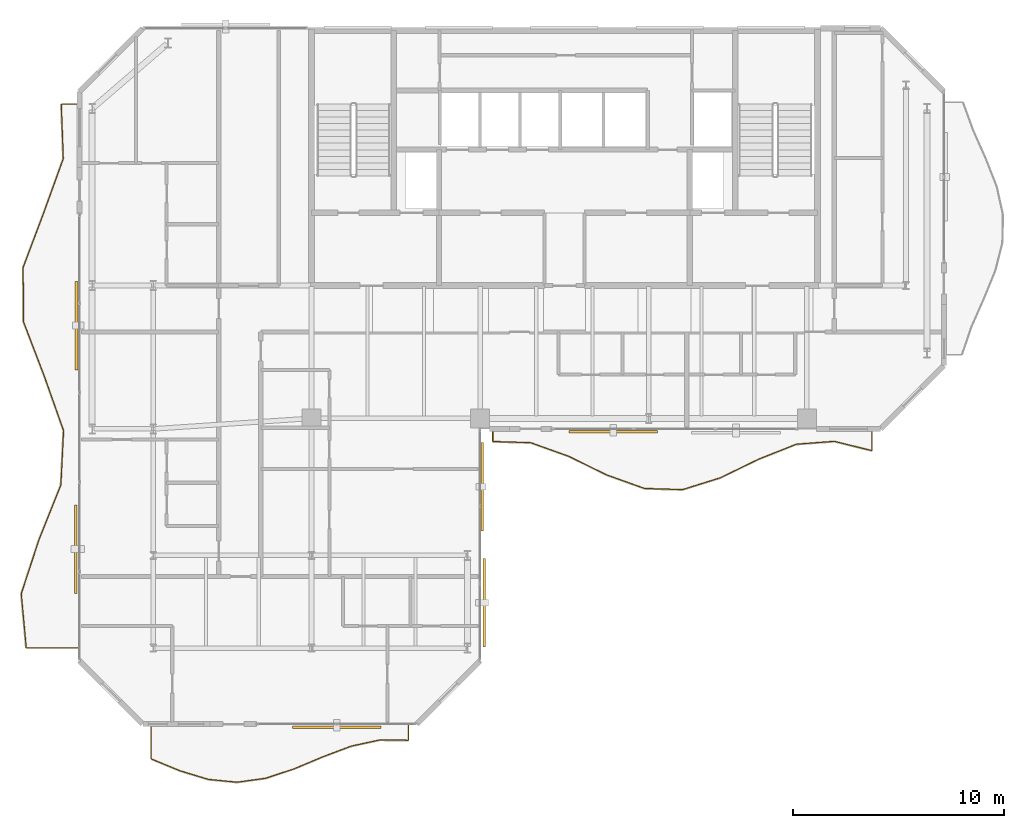
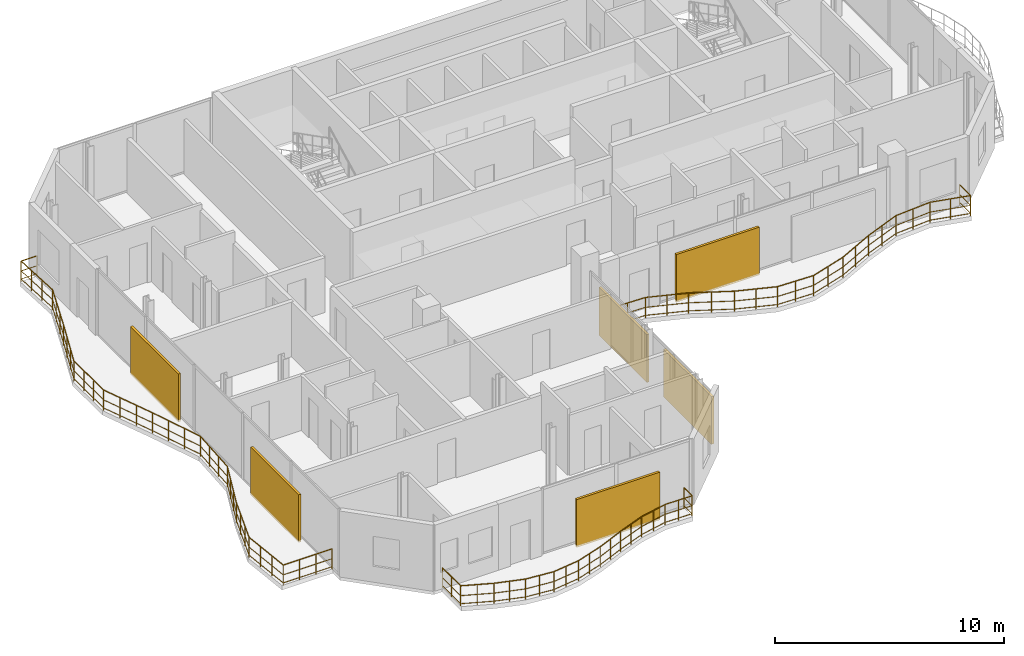
# One storey, part 21 of 22: 6 shading devices, 3 railings.
"""IFC4 building model written with IfcOpenShell, lengths in metres."""

from ifc_helpers import new_model, si_unit, direction, frame, origin, origin_2d, place, context, subcontext, project, spatial, rectangle, circle, extrude, material, type_object, element, save


model = new_model("IFC4")

# Units and contexts
model_context = context("Model", 3, precision=1e-05, world=origin(), true_north=direction((0.0, 1.0)))
body_context = subcontext(model_context, "Body", "Model", "MODEL_VIEW")
ifc_project = project(units=[si_unit("LENGTHUNIT", "METRE"), si_unit("AREAUNIT", "SQUARE_METRE"), si_unit("VOLUMEUNIT", "CUBIC_METRE"), si_unit("PLANEANGLEUNIT", "RADIAN"), si_unit("MASSUNIT", "GRAM", prefix="KILO")], contexts=[model_context])

# Site, building, storey
site_placement = place(None, origin())
site = spatial("IfcSite", under=ifc_project, at=site_placement, CompositionType="ELEMENT")
building_placement = place(site_placement, origin())
building = spatial("IfcBuilding", under=site, at=building_placement, Name="Catumbela Crestline Tower", CompositionType="ELEMENT")
storey_placement = place(building_placement, frame((0.0, 0.0, 226.0)))
storey = spatial("IfcBuildingStorey", under=building, at=storey_placement, Name="L58", CompositionType="ELEMENT", Elevation=226.0)

# Railings
ifc_material_1 = material(Name="Stainless steel EN 1.4401", Category="steel")
railing_type = type_object("IfcRailingType", Name="RB-1100", PredefinedType="BALUSTRADE", material=ifc_material_1)
railing_1_placement = place(storey_placement, frame((24.6, 23.94, 0.0)))
element("IfcRailing", 1, at=railing_1_placement, inside=storey, type_object=railing_type, Name="L58 Private Wave Balcony Balustrade 1", PredefinedType="BALUSTRADE", context=body_context, shape_type="SweptSolid", body=[
    extrude(circle(Radius=0.024, at=origin_2d()), frame((0.0, 0.0, 1.076), z_axis=(0.0, -1.0, 0.0), x_axis=(1.0, 0.0, 0.0)), (0.0, 0.0, 1.0), 0.5387),
    extrude(circle(Radius=0.0156, at=origin_2d()), frame((0.0, 0.0, 0.55), z_axis=(0.0, -1.0, 0.0), x_axis=(1.0, 0.0, 0.0)), (0.0, 0.0, 1.0), 0.5387),
    extrude(circle(Radius=0.0156, at=origin_2d()), frame((0.0, 0.0, 0.12), z_axis=(0.0, -1.0, 0.0), x_axis=(1.0, 0.0, 0.0)), (0.0, 0.0, 1.0), 0.5387),
    extrude(circle(Radius=0.024, at=origin_2d()), frame((0.0, -0.5387, 1.076), z_axis=(0.999524991442, -0.030818687236, 0.0), x_axis=(0.030818687236, 0.999524991442, 0.0)), (0.0, 0.0, 1.0), 1.8009),
    extrude(circle(Radius=0.0156, at=origin_2d()), frame((0.0, -0.5387, 0.55), z_axis=(0.999524991442, -0.030818687236, 0.0), x_axis=(0.030818687236, 0.999524991442, 0.0)), (0.0, 0.0, 1.0), 1.8009),
    extrude(circle(Radius=0.0156, at=origin_2d()), frame((0.0, -0.5387, 0.12), z_axis=(0.999524991442, -0.030818687236, 0.0), x_axis=(0.030818687236, 0.999524991442, 0.0)), (0.0, 0.0, 1.0), 1.8009),
    extrude(circle(Radius=0.024, at=origin_2d()), frame((1.8, -0.5942, 1.076), z_axis=(0.941535818516, -0.336912900392, 0.0), x_axis=(0.336912900392, 0.941535818516, 0.0)), (0.0, 0.0, 1.0), 1.9118),
    extrude(circle(Radius=0.0156, at=origin_2d()), frame((1.8, -0.5942, 0.55), z_axis=(0.941535818516, -0.336912900392, 0.0), x_axis=(0.336912900392, 0.941535818516, 0.0)), (0.0, 0.0, 1.0), 1.9118),
    extrude(circle(Radius=0.0156, at=origin_2d()), frame((1.8, -0.5942, 0.12), z_axis=(0.941535818516, -0.336912900392, 0.0), x_axis=(0.336912900392, 0.941535818516, 0.0)), (0.0, 0.0, 1.0), 1.9118),
    extrude(circle(Radius=0.024, at=origin_2d()), frame((3.6, -1.2383, 1.076), z_axis=(0.897714236936, -0.440578198283, 0.0), x_axis=(0.440578198283, 0.897714236936, 0.0)), (0.0, 0.0, 1.0), 2.0051),
    extrude(circle(Radius=0.0156, at=origin_2d()), frame((3.6, -1.2383, 0.55), z_axis=(0.897714236936, -0.440578198283, 0.0), x_axis=(0.440578198283, 0.897714236936, 0.0)), (0.0, 0.0, 1.0), 2.0051),
    extrude(circle(Radius=0.0156, at=origin_2d()), frame((3.6, -1.2383, 0.12), z_axis=(0.897714236936, -0.440578198283, 0.0), x_axis=(0.440578198283, 0.897714236936, 0.0)), (0.0, 0.0, 1.0), 2.0051),
    extrude(circle(Radius=0.024, at=origin_2d()), frame((5.4, -2.1217, 1.076), z_axis=(0.941535818516, -0.336912900392, 0.0), x_axis=(0.336912900392, 0.941535818516, 0.0)), (0.0, 0.0, 1.0), 1.9118),
    extrude(circle(Radius=0.0156, at=origin_2d()), frame((5.4, -2.1217, 0.55), z_axis=(0.941535818516, -0.336912900392, 0.0), x_axis=(0.336912900392, 0.941535818516, 0.0)), (0.0, 0.0, 1.0), 1.9118),
    extrude(circle(Radius=0.0156, at=origin_2d()), frame((5.4, -2.1217, 0.12), z_axis=(0.941535818516, -0.336912900392, 0.0), x_axis=(0.336912900392, 0.941535818516, 0.0)), (0.0, 0.0, 1.0), 1.9118),
    extrude(circle(Radius=0.024, at=origin_2d()), frame((7.2, -2.7658, 1.076), z_axis=(0.999524991442, -0.030818687236, 0.0), x_axis=(0.030818687236, 0.999524991442, 0.0)), (0.0, 0.0, 1.0), 1.8009),
    extrude(circle(Radius=0.0156, at=origin_2d()), frame((7.2, -2.7658, 0.55), z_axis=(0.999524991442, -0.030818687236, 0.0), x_axis=(0.030818687236, 0.999524991442, 0.0)), (0.0, 0.0, 1.0), 1.8009),
    extrude(circle(Radius=0.0156, at=origin_2d()), frame((7.2, -2.7658, 0.12), z_axis=(0.999524991442, -0.030818687236, 0.0), x_axis=(0.030818687236, 0.999524991442, 0.0)), (0.0, 0.0, 1.0), 1.8009),
    extrude(circle(Radius=0.024, at=origin_2d()), frame((9.0, -2.8213, 1.076), z_axis=(0.954374253933, 0.298613099897, 0.0), x_axis=(-0.298613099897, 0.954374253933, 0.0)), (0.0, 0.0, 1.0), 1.8861),
    extrude(circle(Radius=0.0156, at=origin_2d()), frame((9.0, -2.8213, 0.55), z_axis=(0.954374253933, 0.298613099897, 0.0), x_axis=(-0.298613099897, 0.954374253933, 0.0)), (0.0, 0.0, 1.0), 1.8861),
    extrude(circle(Radius=0.0156, at=origin_2d()), frame((9.0, -2.8213, 0.12), z_axis=(0.954374253933, 0.298613099897, 0.0), x_axis=(-0.298613099897, 0.954374253933, 0.0)), (0.0, 0.0, 1.0), 1.8861),
    extrude(circle(Radius=0.024, at=origin_2d()), frame((10.8, -2.2581, 1.076), z_axis=(0.899073055886, 0.437798629714, 0.0), x_axis=(-0.437798629714, 0.899073055886, 0.0)), (0.0, 0.0, 1.0), 2.0021),
    extrude(circle(Radius=0.0156, at=origin_2d()), frame((10.8, -2.2581, 0.55), z_axis=(0.899073055886, 0.437798629714, 0.0), x_axis=(-0.437798629714, 0.899073055886, 0.0)), (0.0, 0.0, 1.0), 2.0021),
    extrude(circle(Radius=0.0156, at=origin_2d()), frame((10.8, -2.2581, 0.12), z_axis=(0.899073055886, 0.437798629714, 0.0), x_axis=(-0.437798629714, 0.899073055886, 0.0)), (0.0, 0.0, 1.0), 2.0021),
    extrude(circle(Radius=0.024, at=origin_2d()), frame((12.6, -1.3816, 1.076), z_axis=(0.929399644581, 0.369074925526, 0.0), x_axis=(-0.369074925526, 0.929399644581, 0.0)), (0.0, 0.0, 1.0), 1.9367),
    extrude(circle(Radius=0.0156, at=origin_2d()), frame((12.6, -1.3816, 0.55), z_axis=(0.929399644581, 0.369074925526, 0.0), x_axis=(-0.369074925526, 0.929399644581, 0.0)), (0.0, 0.0, 1.0), 1.9367),
    extrude(circle(Radius=0.0156, at=origin_2d()), frame((12.6, -1.3816, 0.12), z_axis=(0.929399644581, 0.369074925526, 0.0), x_axis=(-0.369074925526, 0.929399644581, 0.0)), (0.0, 0.0, 1.0), 1.9367),
    extrude(circle(Radius=0.024, at=origin_2d()), frame((14.4, -0.6668, 1.076), z_axis=(0.9971244509, 0.075781458268, 0.0), x_axis=(-0.075781458268, 0.9971244509, 0.0)), (0.0, 0.0, 1.0), 1.8052),
    extrude(circle(Radius=0.0156, at=origin_2d()), frame((14.4, -0.6668, 0.55), z_axis=(0.9971244509, 0.075781458268, 0.0), x_axis=(-0.075781458268, 0.9971244509, 0.0)), (0.0, 0.0, 1.0), 1.8052),
    extrude(circle(Radius=0.0156, at=origin_2d()), frame((14.4, -0.6668, 0.12), z_axis=(0.9971244509, 0.075781458268, 0.0), x_axis=(-0.075781458268, 0.9971244509, 0.0)), (0.0, 0.0, 1.0), 1.8052),
    extrude(circle(Radius=0.024, at=origin_2d()), frame((16.2, -0.53, 1.076), z_axis=(0.97081135802, -0.239844339395, 0.0), x_axis=(0.239844339395, 0.97081135802, 0.0)), (0.0, 0.0, 1.0), 1.8541),
    extrude(circle(Radius=0.0156, at=origin_2d()), frame((16.2, -0.53, 0.55), z_axis=(0.97081135802, -0.239844339395, 0.0), x_axis=(0.239844339395, 0.97081135802, 0.0)), (0.0, 0.0, 1.0), 1.8541),
    extrude(circle(Radius=0.0156, at=origin_2d()), frame((16.2, -0.53, 0.12), z_axis=(0.97081135802, -0.239844339395, 0.0), x_axis=(0.239844339395, 0.97081135802, 0.0)), (0.0, 0.0, 1.0), 1.8541),
    extrude(circle(Radius=0.024, at=origin_2d()), frame((18.0, -0.9747, 1.076), z_axis=(0.0, 1.0, 0.0), x_axis=(-1.0, 0.0, 0.0)), (0.0, 0.0, 1.0), 0.9747),
    extrude(circle(Radius=0.0156, at=origin_2d()), frame((18.0, -0.9747, 0.55), z_axis=(0.0, 1.0, 0.0), x_axis=(-1.0, 0.0, 0.0)), (0.0, 0.0, 1.0), 0.9747),
    extrude(circle(Radius=0.0156, at=origin_2d()), frame((18.0, -0.9747, 0.12), z_axis=(0.0, 1.0, 0.0), x_axis=(-1.0, 0.0, 0.0)), (0.0, 0.0, 1.0), 0.9747),
    extrude(circle(Radius=0.021, at=origin_2d()), origin(), (0.0, 0.0, 1.0), 1.052),
    extrude(circle(Radius=0.021, at=origin_2d()), frame((0.0, -0.5387, 0.0)), (0.0, 0.0, 1.0), 1.052),
    extrude(circle(Radius=0.021, at=origin_2d()), frame((0.9, -0.5665, 0.0)), (0.0, 0.0, 1.0), 1.052),
    extrude(circle(Radius=0.021, at=origin_2d()), frame((1.8, -0.5942, 0.0)), (0.0, 0.0, 1.0), 1.052),
    extrude(circle(Radius=0.021, at=origin_2d()), frame((2.7, -0.9163, 0.0)), (0.0, 0.0, 1.0), 1.052),
    extrude(circle(Radius=0.021, at=origin_2d()), frame((3.6, -1.2383, 0.0)), (0.0, 0.0, 1.0), 1.052),
    extrude(circle(Radius=0.021, at=origin_2d()), frame((4.5, -1.68, 0.0)), (0.0, 0.0, 1.0), 1.052),
    extrude(circle(Radius=0.021, at=origin_2d()), frame((5.4, -2.1217, 0.0)), (0.0, 0.0, 1.0), 1.052),
    extrude(circle(Radius=0.021, at=origin_2d()), frame((6.3, -2.4438, 0.0)), (0.0, 0.0, 1.0), 1.052),
    extrude(circle(Radius=0.021, at=origin_2d()), frame((7.2, -2.7658, 0.0)), (0.0, 0.0, 1.0), 1.052),
    extrude(circle(Radius=0.021, at=origin_2d()), frame((8.1, -2.7936, 0.0)), (0.0, 0.0, 1.0), 1.052),
    extrude(circle(Radius=0.021, at=origin_2d()), frame((9.0, -2.8213, 0.0)), (0.0, 0.0, 1.0), 1.052),
    extrude(circle(Radius=0.021, at=origin_2d()), frame((9.9, -2.5397, 0.0)), (0.0, 0.0, 1.0), 1.052),
    extrude(circle(Radius=0.021, at=origin_2d()), frame((10.8, -2.2581, 0.0)), (0.0, 0.0, 1.0), 1.052),
    extrude(circle(Radius=0.021, at=origin_2d()), frame((11.7, -1.8199, 0.0)), (0.0, 0.0, 1.0), 1.052),
    extrude(circle(Radius=0.021, at=origin_2d()), frame((12.6, -1.3816, 0.0)), (0.0, 0.0, 1.0), 1.052),
    extrude(circle(Radius=0.021, at=origin_2d()), frame((13.5, -1.0242, 0.0)), (0.0, 0.0, 1.0), 1.052),
    extrude(circle(Radius=0.021, at=origin_2d()), frame((14.4, -0.6668, 0.0)), (0.0, 0.0, 1.0), 1.052),
    extrude(circle(Radius=0.021, at=origin_2d()), frame((15.3, -0.5984, 0.0)), (0.0, 0.0, 1.0), 1.052),
    extrude(circle(Radius=0.021, at=origin_2d()), frame((16.2, -0.53, 0.0)), (0.0, 0.0, 1.0), 1.052),
    extrude(circle(Radius=0.021, at=origin_2d()), frame((17.1, -0.7524, 0.0)), (0.0, 0.0, 1.0), 1.052),
    extrude(circle(Radius=0.021, at=origin_2d()), frame((18.0, -0.9747, 0.0)), (0.0, 0.0, 1.0), 1.052),
    extrude(circle(Radius=0.021, at=origin_2d()), frame((18.0, 0.0, 0.0)), (0.0, 0.0, 1.0), 1.052),
])
railing_2_placement = place(storey_placement, frame((8.4, 9.94, 0.0)))
element("IfcRailing", 2, at=railing_2_placement, inside=storey, type_object=railing_type, Name="L58 Private Wave Balcony Balustrade 3", PredefinedType="BALUSTRADE", context=body_context, shape_type="SweptSolid", body=[
    extrude(circle(Radius=0.024, at=origin_2d()), frame((0.0, 0.0, 1.076), z_axis=(0.0, -1.0, 0.0), x_axis=(1.0, 0.0, 0.0)), (0.0, 0.0, 1.0), 1.5934),
    extrude(circle(Radius=0.0156, at=origin_2d()), frame((0.0, 0.0, 0.55), z_axis=(0.0, -1.0, 0.0), x_axis=(1.0, 0.0, 0.0)), (0.0, 0.0, 1.0), 1.5934),
    extrude(circle(Radius=0.0156, at=origin_2d()), frame((0.0, 0.0, 0.12), z_axis=(0.0, -1.0, 0.0), x_axis=(1.0, 0.0, 0.0)), (0.0, 0.0, 1.0), 1.5934),
    extrude(circle(Radius=0.024, at=origin_2d()), frame((0.0, -1.5934, 1.076), z_axis=(0.9241944748, -0.381922207718, 0.0), x_axis=(0.381922207718, 0.9241944748, 0.0)), (0.0, 0.0, 1.0), 1.4668),
    extrude(circle(Radius=0.0156, at=origin_2d()), frame((0.0, -1.5934, 0.55), z_axis=(0.9241944748, -0.381922207718, 0.0), x_axis=(0.381922207718, 0.9241944748, 0.0)), (0.0, 0.0, 1.0), 1.4668),
    extrude(circle(Radius=0.0156, at=origin_2d()), frame((0.0, -1.5934, 0.12), z_axis=(0.9241944748, -0.381922207718, 0.0), x_axis=(0.381922207718, 0.9241944748, 0.0)), (0.0, 0.0, 1.0), 1.4668),
    extrude(circle(Radius=0.024, at=origin_2d()), frame((1.3556, -2.1536, 1.076), z_axis=(0.956878824699, -0.290487374669, 0.0), x_axis=(0.290487374669, 0.956878824699, 0.0)), (0.0, 0.0, 1.0), 1.4166),
    extrude(circle(Radius=0.0156, at=origin_2d()), frame((1.3556, -2.1536, 0.55), z_axis=(0.956878824699, -0.290487374669, 0.0), x_axis=(0.290487374669, 0.956878824699, 0.0)), (0.0, 0.0, 1.0), 1.4166),
    extrude(circle(Radius=0.0156, at=origin_2d()), frame((1.3556, -2.1536, 0.12), z_axis=(0.956878824699, -0.290487374669, 0.0), x_axis=(0.290487374669, 0.956878824699, 0.0)), (0.0, 0.0, 1.0), 1.4166),
    extrude(circle(Radius=0.024, at=origin_2d()), frame((2.7111, -2.5651, 1.076), z_axis=(0.995171465937, -0.098151685597, 0.0), x_axis=(0.098151685597, 0.995171465937, 0.0)), (0.0, 0.0, 1.0), 1.3622),
    extrude(circle(Radius=0.0156, at=origin_2d()), frame((2.7111, -2.5651, 0.55), z_axis=(0.995171465937, -0.098151685597, 0.0), x_axis=(0.098151685597, 0.995171465937, 0.0)), (0.0, 0.0, 1.0), 1.3622),
    extrude(circle(Radius=0.0156, at=origin_2d()), frame((2.7111, -2.5651, 0.12), z_axis=(0.995171465937, -0.098151685597, 0.0), x_axis=(0.098151685597, 0.995171465937, 0.0)), (0.0, 0.0, 1.0), 1.3622),
    extrude(circle(Radius=0.024, at=origin_2d()), frame((4.0667, -2.6988, 1.076), z_axis=(0.990716405588, 0.135944855359, 0.0), x_axis=(-0.135944855359, 0.990716405588, 0.0)), (0.0, 0.0, 1.0), 1.3682),
    extrude(circle(Radius=0.0156, at=origin_2d()), frame((4.0667, -2.6988, 0.55), z_axis=(0.990716405588, 0.135944855359, 0.0), x_axis=(-0.135944855359, 0.990716405588, 0.0)), (0.0, 0.0, 1.0), 1.3682),
    extrude(circle(Radius=0.0156, at=origin_2d()), frame((4.0667, -2.6988, 0.12), z_axis=(0.990716405588, 0.135944855359, 0.0), x_axis=(-0.135944855359, 0.990716405588, 0.0)), (0.0, 0.0, 1.0), 1.3682),
    extrude(circle(Radius=0.024, at=origin_2d()), frame((5.4222, -2.5128, 1.076), z_axis=(0.949617808212, 0.313410303478, 0.0), x_axis=(-0.313410303478, 0.949617808212, 0.0)), (0.0, 0.0, 1.0), 1.4275),
    extrude(circle(Radius=0.0156, at=origin_2d()), frame((5.4222, -2.5128, 0.55), z_axis=(0.949617808212, 0.313410303478, 0.0), x_axis=(-0.313410303478, 0.949617808212, 0.0)), (0.0, 0.0, 1.0), 1.4275),
    extrude(circle(Radius=0.0156, at=origin_2d()), frame((5.4222, -2.5128, 0.12), z_axis=(0.949617808212, 0.313410303478, 0.0), x_axis=(-0.313410303478, 0.949617808212, 0.0)), (0.0, 0.0, 1.0), 1.4275),
    extrude(circle(Radius=0.024, at=origin_2d()), frame((6.7778, -2.0654, 1.076), z_axis=(0.922227252503, 0.386648282993, 0.0), x_axis=(-0.386648282993, 0.922227252503, 0.0)), (0.0, 0.0, 1.0), 1.4698),
    extrude(circle(Radius=0.0156, at=origin_2d()), frame((6.7778, -2.0654, 0.55), z_axis=(0.922227252503, 0.386648282993, 0.0), x_axis=(-0.386648282993, 0.922227252503, 0.0)), (0.0, 0.0, 1.0), 1.4698),
    extrude(circle(Radius=0.0156, at=origin_2d()), frame((6.7778, -2.0654, 0.12), z_axis=(0.922227252503, 0.386648282993, 0.0), x_axis=(-0.386648282993, 0.922227252503, 0.0)), (0.0, 0.0, 1.0), 1.4698),
    extrude(circle(Radius=0.024, at=origin_2d()), frame((8.1333, -1.4971, 1.076), z_axis=(0.935726420606, 0.352726616206, 0.0), x_axis=(-0.352726616206, 0.935726420606, 0.0)), (0.0, 0.0, 1.0), 1.4487),
    extrude(circle(Radius=0.0156, at=origin_2d()), frame((8.1333, -1.4971, 0.55), z_axis=(0.935726420606, 0.352726616206, 0.0), x_axis=(-0.352726616206, 0.935726420606, 0.0)), (0.0, 0.0, 1.0), 1.4487),
    extrude(circle(Radius=0.0156, at=origin_2d()), frame((8.1333, -1.4971, 0.12), z_axis=(0.935726420606, 0.352726616206, 0.0), x_axis=(-0.352726616206, 0.935726420606, 0.0)), (0.0, 0.0, 1.0), 1.4487),
    extrude(circle(Radius=0.024, at=origin_2d()), frame((9.4889, -0.9861, 1.076), z_axis=(0.977396450003, 0.211414709805, 0.0), x_axis=(-0.211414709805, 0.977396450003, 0.0)), (0.0, 0.0, 1.0), 1.3868),
    extrude(circle(Radius=0.0156, at=origin_2d()), frame((9.4889, -0.9861, 0.55), z_axis=(0.977396450003, 0.211414709805, 0.0), x_axis=(-0.211414709805, 0.977396450003, 0.0)), (0.0, 0.0, 1.0), 1.3868),
    extrude(circle(Radius=0.0156, at=origin_2d()), frame((9.4889, -0.9861, 0.12), z_axis=(0.977396450003, 0.211414709805, 0.0), x_axis=(-0.211414709805, 0.977396450003, 0.0)), (0.0, 0.0, 1.0), 1.3868),
    extrude(circle(Radius=0.024, at=origin_2d()), frame((10.8444, -0.6929, 1.076), z_axis=(0.999924126451, -0.012318333514, 0.0), x_axis=(0.012318333514, 0.999924126451, 0.0)), (0.0, 0.0, 1.0), 1.3557),
    extrude(circle(Radius=0.0156, at=origin_2d()), frame((10.8444, -0.6929, 0.55), z_axis=(0.999924126451, -0.012318333514, 0.0), x_axis=(0.012318333514, 0.999924126451, 0.0)), (0.0, 0.0, 1.0), 1.3557),
    extrude(circle(Radius=0.0156, at=origin_2d()), frame((10.8444, -0.6929, 0.12), z_axis=(0.999924126451, -0.012318333514, 0.0), x_axis=(0.012318333514, 0.999924126451, 0.0)), (0.0, 0.0, 1.0), 1.3557),
    extrude(circle(Radius=0.024, at=origin_2d()), frame((12.2, -0.7096, 1.076), z_axis=(0.0, 1.0, 0.0), x_axis=(-1.0, 0.0, 0.0)), (0.0, 0.0, 1.0), 0.7096),
    extrude(circle(Radius=0.0156, at=origin_2d()), frame((12.2, -0.7096, 0.55), z_axis=(0.0, 1.0, 0.0), x_axis=(-1.0, 0.0, 0.0)), (0.0, 0.0, 1.0), 0.7096),
    extrude(circle(Radius=0.0156, at=origin_2d()), frame((12.2, -0.7096, 0.12), z_axis=(0.0, 1.0, 0.0), x_axis=(-1.0, 0.0, 0.0)), (0.0, 0.0, 1.0), 0.7096),
    extrude(circle(Radius=0.021, at=origin_2d()), origin(), (0.0, 0.0, 1.0), 1.052),
    extrude(circle(Radius=0.021, at=origin_2d()), frame((0.0, -0.7967, 0.0)), (0.0, 0.0, 1.0), 1.052),
    extrude(circle(Radius=0.021, at=origin_2d()), frame((0.0, -1.5934, 0.0)), (0.0, 0.0, 1.0), 1.052),
    extrude(circle(Radius=0.021, at=origin_2d()), frame((0.6778, -1.8735, 0.0)), (0.0, 0.0, 1.0), 1.052),
    extrude(circle(Radius=0.021, at=origin_2d()), frame((1.3556, -2.1536, 0.0)), (0.0, 0.0, 1.0), 1.052),
    extrude(circle(Radius=0.021, at=origin_2d()), frame((2.0333, -2.3593, 0.0)), (0.0, 0.0, 1.0), 1.052),
    extrude(circle(Radius=0.021, at=origin_2d()), frame((2.7111, -2.5651, 0.0)), (0.0, 0.0, 1.0), 1.052),
    extrude(circle(Radius=0.021, at=origin_2d()), frame((3.3889, -2.6319, 0.0)), (0.0, 0.0, 1.0), 1.052),
    extrude(circle(Radius=0.021, at=origin_2d()), frame((4.0667, -2.6988, 0.0)), (0.0, 0.0, 1.0), 1.052),
    extrude(circle(Radius=0.021, at=origin_2d()), frame((4.7444, -2.6058, 0.0)), (0.0, 0.0, 1.0), 1.052),
    extrude(circle(Radius=0.021, at=origin_2d()), frame((5.4222, -2.5128, 0.0)), (0.0, 0.0, 1.0), 1.052),
    extrude(circle(Radius=0.021, at=origin_2d()), frame((6.1, -2.2891, 0.0)), (0.0, 0.0, 1.0), 1.052),
    extrude(circle(Radius=0.021, at=origin_2d()), frame((6.7778, -2.0654, 0.0)), (0.0, 0.0, 1.0), 1.052),
    extrude(circle(Radius=0.021, at=origin_2d()), frame((7.4556, -1.7812, 0.0)), (0.0, 0.0, 1.0), 1.052),
    extrude(circle(Radius=0.021, at=origin_2d()), frame((8.1333, -1.4971, 0.0)), (0.0, 0.0, 1.0), 1.052),
    extrude(circle(Radius=0.021, at=origin_2d()), frame((8.8111, -1.2416, 0.0)), (0.0, 0.0, 1.0), 1.052),
    extrude(circle(Radius=0.021, at=origin_2d()), frame((9.4889, -0.9861, 0.0)), (0.0, 0.0, 1.0), 1.052),
    extrude(circle(Radius=0.021, at=origin_2d()), frame((10.1666, -0.8395, 0.0)), (0.0, 0.0, 1.0), 1.052),
    extrude(circle(Radius=0.021, at=origin_2d()), frame((10.8444, -0.6929, 0.0)), (0.0, 0.0, 1.0), 1.052),
    extrude(circle(Radius=0.021, at=origin_2d()), frame((11.5222, -0.7012, 0.0)), (0.0, 0.0, 1.0), 1.052),
    extrude(circle(Radius=0.021, at=origin_2d()), frame((12.2, -0.7096, 0.0)), (0.0, 0.0, 1.0), 1.052),
    extrude(circle(Radius=0.021, at=origin_2d()), frame((12.2, 0.0, 0.0)), (0.0, 0.0, 1.0), 1.052),
])
railing_3_placement = place(storey_placement, frame((4.94, 39.4, 0.0)))
element("IfcRailing", 3, at=railing_3_placement, inside=storey, type_object=railing_type, Name="L58 Private Wave Balcony Balustrade 4", PredefinedType="BALUSTRADE", context=body_context, shape_type="SweptSolid", body=[
    extrude(circle(Radius=0.024, at=origin_2d()), frame((0.0, 0.0, 1.076), z_axis=(-1.0, 0.0, 0.0), x_axis=(0.0, -1.0, 0.0)), (0.0, 0.0, 1.0), 0.8051),
    extrude(circle(Radius=0.0156, at=origin_2d()), frame((0.0, 0.0, 0.55), z_axis=(-1.0, 0.0, 0.0), x_axis=(0.0, -1.0, 0.0)), (0.0, 0.0, 1.0), 0.8051),
    extrude(circle(Radius=0.0156, at=origin_2d()), frame((0.0, 0.0, 0.12), z_axis=(-1.0, 0.0, 0.0), x_axis=(0.0, -1.0, 0.0)), (0.0, 0.0, 1.0), 0.8051),
    extrude(circle(Radius=0.024, at=origin_2d()), frame((-0.8051, 0.0, 1.076), z_axis=(0.037028851637, -0.99931419691, 0.0), x_axis=(0.99931419691, 0.037028851637, 0.0)), (0.0, 0.0, 1.0), 2.5818),
    extrude(circle(Radius=0.0156, at=origin_2d()), frame((-0.8051, 0.0, 0.55), z_axis=(0.037028851637, -0.99931419691, 0.0), x_axis=(0.99931419691, 0.037028851637, 0.0)), (0.0, 0.0, 1.0), 2.5818),
    extrude(circle(Radius=0.0156, at=origin_2d()), frame((-0.8051, 0.0, 0.12), z_axis=(0.037028851637, -0.99931419691, 0.0), x_axis=(0.99931419691, 0.037028851637, 0.0)), (0.0, 0.0, 1.0), 2.5818),
    extrude(circle(Radius=0.024, at=origin_2d()), frame((-0.7095, -2.58, 1.076), z_axis=(-0.339655213752, -0.940550017687, 0.0), x_axis=(0.940550017687, -0.339655213752, 0.0)), (0.0, 0.0, 1.0), 2.7431),
    extrude(circle(Radius=0.0156, at=origin_2d()), frame((-0.7095, -2.58, 0.55), z_axis=(-0.339655213752, -0.940550017687, 0.0), x_axis=(0.940550017687, -0.339655213752, 0.0)), (0.0, 0.0, 1.0), 2.7431),
    extrude(circle(Radius=0.0156, at=origin_2d()), frame((-0.7095, -2.58, 0.12), z_axis=(-0.339655213752, -0.940550017687, 0.0), x_axis=(0.940550017687, -0.339655213752, 0.0)), (0.0, 0.0, 1.0), 2.7431),
    extrude(circle(Radius=0.024, at=origin_2d()), frame((-1.6412, -5.16, 1.076), z_axis=(-0.352808059203, -0.935695716225, 0.0), x_axis=(0.935695716225, -0.352808059203, 0.0)), (0.0, 0.0, 1.0), 2.7573),
    extrude(circle(Radius=0.0156, at=origin_2d()), frame((-1.6412, -5.16, 0.55), z_axis=(-0.352808059203, -0.935695716225, 0.0), x_axis=(0.935695716225, -0.352808059203, 0.0)), (0.0, 0.0, 1.0), 2.7573),
    extrude(circle(Radius=0.0156, at=origin_2d()), frame((-1.6412, -5.16, 0.12), z_axis=(-0.352808059203, -0.935695716225, 0.0), x_axis=(0.935695716225, -0.352808059203, 0.0)), (0.0, 0.0, 1.0), 2.7573),
    extrude(circle(Radius=0.024, at=origin_2d()), frame((-2.614, -7.74, 1.076), z_axis=(0.00616267367, -0.999981010546, 0.0), x_axis=(0.999981010546, 0.00616267367, 0.0)), (0.0, 0.0, 1.0), 2.58),
    extrude(circle(Radius=0.0156, at=origin_2d()), frame((-2.614, -7.74, 0.55), z_axis=(0.00616267367, -0.999981010546, 0.0), x_axis=(0.999981010546, 0.00616267367, 0.0)), (0.0, 0.0, 1.0), 2.58),
    extrude(circle(Radius=0.0156, at=origin_2d()), frame((-2.614, -7.74, 0.12), z_axis=(0.00616267367, -0.999981010546, 0.0), x_axis=(0.999981010546, 0.00616267367, 0.0)), (0.0, 0.0, 1.0), 2.58),
    extrude(circle(Radius=0.024, at=origin_2d()), frame((-2.5981, -10.32, 1.076), z_axis=(0.357557264627, -0.933891215567, 0.0), x_axis=(0.933891215567, 0.357557264627, 0.0)), (0.0, 0.0, 1.0), 2.7626),
    extrude(circle(Radius=0.0156, at=origin_2d()), frame((-2.5981, -10.32, 0.55), z_axis=(0.357557264627, -0.933891215567, 0.0), x_axis=(0.933891215567, 0.357557264627, 0.0)), (0.0, 0.0, 1.0), 2.7626),
    extrude(circle(Radius=0.0156, at=origin_2d()), frame((-2.5981, -10.32, 0.12), z_axis=(0.357557264627, -0.933891215567, 0.0), x_axis=(0.933891215567, 0.357557264627, 0.0)), (0.0, 0.0, 1.0), 2.7626),
    extrude(circle(Radius=0.024, at=origin_2d()), frame((-1.6103, -12.9, 1.076), z_axis=(0.333928298196, -0.942598478496, 0.0), x_axis=(0.942598478496, 0.333928298196, 0.0)), (0.0, 0.0, 1.0), 2.7371),
    extrude(circle(Radius=0.0156, at=origin_2d()), frame((-1.6103, -12.9, 0.55), z_axis=(0.333928298196, -0.942598478496, 0.0), x_axis=(0.942598478496, 0.333928298196, 0.0)), (0.0, 0.0, 1.0), 2.7371),
    extrude(circle(Radius=0.0156, at=origin_2d()), frame((-1.6103, -12.9, 0.12), z_axis=(0.333928298196, -0.942598478496, 0.0), x_axis=(0.942598478496, 0.333928298196, 0.0)), (0.0, 0.0, 1.0), 2.7371),
    extrude(circle(Radius=0.024, at=origin_2d()), frame((-0.6963, -15.48, 1.076), z_axis=(-0.049319751692, -0.998783040551, 0.0), x_axis=(0.998783040551, -0.049319751692, 0.0)), (0.0, 0.0, 1.0), 2.5831),
    extrude(circle(Radius=0.0156, at=origin_2d()), frame((-0.6963, -15.48, 0.55), z_axis=(-0.049319751692, -0.998783040551, 0.0), x_axis=(0.998783040551, -0.049319751692, 0.0)), (0.0, 0.0, 1.0), 2.5831),
    extrude(circle(Radius=0.0156, at=origin_2d()), frame((-0.6963, -15.48, 0.12), z_axis=(-0.049319751692, -0.998783040551, 0.0), x_axis=(0.998783040551, -0.049319751692, 0.0)), (0.0, 0.0, 1.0), 2.5831),
    extrude(circle(Radius=0.024, at=origin_2d()), frame((-0.8237, -18.06, 1.076), z_axis=(-0.371948901038, -0.928253206306, 0.0), x_axis=(0.928253206306, -0.371948901038, 0.0)), (0.0, 0.0, 1.0), 2.7794),
    extrude(circle(Radius=0.0156, at=origin_2d()), frame((-0.8237, -18.06, 0.55), z_axis=(-0.371948901038, -0.928253206306, 0.0), x_axis=(0.928253206306, -0.371948901038, 0.0)), (0.0, 0.0, 1.0), 2.7794),
    extrude(circle(Radius=0.0156, at=origin_2d()), frame((-0.8237, -18.06, 0.12), z_axis=(-0.371948901038, -0.928253206306, 0.0), x_axis=(0.928253206306, -0.371948901038, 0.0)), (0.0, 0.0, 1.0), 2.7794),
    extrude(circle(Radius=0.024, at=origin_2d()), frame((-1.8575, -20.64, 1.076), z_axis=(-0.311583379126, -0.950218815775, 0.0), x_axis=(0.950218815775, -0.311583379126, 0.0)), (0.0, 0.0, 1.0), 2.7152),
    extrude(circle(Radius=0.0156, at=origin_2d()), frame((-1.8575, -20.64, 0.55), z_axis=(-0.311583379126, -0.950218815775, 0.0), x_axis=(0.950218815775, -0.311583379126, 0.0)), (0.0, 0.0, 1.0), 2.7152),
    extrude(circle(Radius=0.0156, at=origin_2d()), frame((-1.8575, -20.64, 0.12), z_axis=(-0.311583379126, -0.950218815775, 0.0), x_axis=(0.950218815775, -0.311583379126, 0.0)), (0.0, 0.0, 1.0), 2.7152),
    extrude(circle(Radius=0.024, at=origin_2d()), frame((-2.7035, -23.22, 1.076), z_axis=(0.091666691706, -0.995789745695, 0.0), x_axis=(0.995789745695, 0.091666691706, 0.0)), (0.0, 0.0, 1.0), 2.5909),
    extrude(circle(Radius=0.0156, at=origin_2d()), frame((-2.7035, -23.22, 0.55), z_axis=(0.091666691706, -0.995789745695, 0.0), x_axis=(0.995789745695, 0.091666691706, 0.0)), (0.0, 0.0, 1.0), 2.5909),
    extrude(circle(Radius=0.0156, at=origin_2d()), frame((-2.7035, -23.22, 0.12), z_axis=(0.091666691706, -0.995789745695, 0.0), x_axis=(0.995789745695, 0.091666691706, 0.0)), (0.0, 0.0, 1.0), 2.5909),
    extrude(circle(Radius=0.024, at=origin_2d()), frame((-2.466, -25.8, 1.076), z_axis=(1.0, 0.0, 0.0), x_axis=(0.0, 1.0, 0.0)), (0.0, 0.0, 1.0), 2.466),
    extrude(circle(Radius=0.0156, at=origin_2d()), frame((-2.466, -25.8, 0.55), z_axis=(1.0, 0.0, 0.0), x_axis=(0.0, 1.0, 0.0)), (0.0, 0.0, 1.0), 2.466),
    extrude(circle(Radius=0.0156, at=origin_2d()), frame((-2.466, -25.8, 0.12), z_axis=(1.0, 0.0, 0.0), x_axis=(0.0, 1.0, 0.0)), (0.0, 0.0, 1.0), 2.466),
    extrude(circle(Radius=0.021, at=origin_2d()), origin(), (0.0, 0.0, 1.0), 1.052),
    extrude(circle(Radius=0.021, at=origin_2d()), frame((-0.8051, 0.0, 0.0)), (0.0, 0.0, 1.0), 1.052),
    extrude(circle(Radius=0.021, at=origin_2d()), frame((-0.7732, -0.86, 0.0)), (0.0, 0.0, 1.0), 1.052),
    extrude(circle(Radius=0.021, at=origin_2d()), frame((-0.7414, -1.72, 0.0)), (0.0, 0.0, 1.0), 1.052),
    extrude(circle(Radius=0.021, at=origin_2d()), frame((-0.7095, -2.58, 0.0)), (0.0, 0.0, 1.0), 1.052),
    extrude(circle(Radius=0.021, at=origin_2d()), frame((-1.0201, -3.44, 0.0)), (0.0, 0.0, 1.0), 1.052),
    extrude(circle(Radius=0.021, at=origin_2d()), frame((-1.3306, -4.3, 0.0)), (0.0, 0.0, 1.0), 1.052),
    extrude(circle(Radius=0.021, at=origin_2d()), frame((-1.6412, -5.16, 0.0)), (0.0, 0.0, 1.0), 1.052),
    extrude(circle(Radius=0.021, at=origin_2d()), frame((-1.9655, -6.02, 0.0)), (0.0, 0.0, 1.0), 1.052),
    extrude(circle(Radius=0.021, at=origin_2d()), frame((-2.2897, -6.88, 0.0)), (0.0, 0.0, 1.0), 1.052),
    extrude(circle(Radius=0.021, at=origin_2d()), frame((-2.614, -7.74, 0.0)), (0.0, 0.0, 1.0), 1.052),
    extrude(circle(Radius=0.021, at=origin_2d()), frame((-2.6087, -8.6, 0.0)), (0.0, 0.0, 1.0), 1.052),
    extrude(circle(Radius=0.021, at=origin_2d()), frame((-2.6034, -9.46, 0.0)), (0.0, 0.0, 1.0), 1.052),
    extrude(circle(Radius=0.021, at=origin_2d()), frame((-2.5981, -10.32, 0.0)), (0.0, 0.0, 1.0), 1.052),
    extrude(circle(Radius=0.021, at=origin_2d()), frame((-2.2688, -11.18, 0.0)), (0.0, 0.0, 1.0), 1.052),
    extrude(circle(Radius=0.021, at=origin_2d()), frame((-1.9396, -12.04, 0.0)), (0.0, 0.0, 1.0), 1.052),
    extrude(circle(Radius=0.021, at=origin_2d()), frame((-1.6103, -12.9, 0.0)), (0.0, 0.0, 1.0), 1.052),
    extrude(circle(Radius=0.021, at=origin_2d()), frame((-1.3056, -13.76, 0.0)), (0.0, 0.0, 1.0), 1.052),
    extrude(circle(Radius=0.021, at=origin_2d()), frame((-1.001, -14.62, 0.0)), (0.0, 0.0, 1.0), 1.052),
    extrude(circle(Radius=0.021, at=origin_2d()), frame((-0.6963, -15.48, 0.0)), (0.0, 0.0, 1.0), 1.052),
    extrude(circle(Radius=0.021, at=origin_2d()), frame((-0.7388, -16.34, 0.0)), (0.0, 0.0, 1.0), 1.052),
    extrude(circle(Radius=0.021, at=origin_2d()), frame((-0.7812, -17.2, 0.0)), (0.0, 0.0, 1.0), 1.052),
    extrude(circle(Radius=0.021, at=origin_2d()), frame((-0.8237, -18.06, 0.0)), (0.0, 0.0, 1.0), 1.052),
    extrude(circle(Radius=0.021, at=origin_2d()), frame((-1.1683, -18.92, 0.0)), (0.0, 0.0, 1.0), 1.052),
    extrude(circle(Radius=0.021, at=origin_2d()), frame((-1.5129, -19.78, 0.0)), (0.0, 0.0, 1.0), 1.052),
    extrude(circle(Radius=0.021, at=origin_2d()), frame((-1.8575, -20.64, 0.0)), (0.0, 0.0, 1.0), 1.052),
    extrude(circle(Radius=0.021, at=origin_2d()), frame((-2.1395, -21.5, 0.0)), (0.0, 0.0, 1.0), 1.052),
    extrude(circle(Radius=0.021, at=origin_2d()), frame((-2.4215, -22.36, 0.0)), (0.0, 0.0, 1.0), 1.052),
    extrude(circle(Radius=0.021, at=origin_2d()), frame((-2.7035, -23.22, 0.0)), (0.0, 0.0, 1.0), 1.052),
    extrude(circle(Radius=0.021, at=origin_2d()), frame((-2.6243, -24.08, 0.0)), (0.0, 0.0, 1.0), 1.052),
    extrude(circle(Radius=0.021, at=origin_2d()), frame((-2.5452, -24.94, 0.0)), (0.0, 0.0, 1.0), 1.052),
    extrude(circle(Radius=0.021, at=origin_2d()), frame((-2.466, -25.8, 0.0)), (0.0, 0.0, 1.0), 1.052),
    extrude(circle(Radius=0.021, at=origin_2d()), frame((-1.644, -25.8, 0.0)), (0.0, 0.0, 1.0), 1.052),
    extrude(circle(Radius=0.021, at=origin_2d()), frame((-0.822, -25.8, 0.0)), (0.0, 0.0, 1.0), 1.052),
    extrude(circle(Radius=0.021, at=origin_2d()), frame((0.0, -25.8, 0.0)), (0.0, 0.0, 1.0), 1.052),
])

# Shading devices
ifc_material_2 = material(Name="Extruded terracotta ceramic", Category="masonry")
shading_device_type_1 = type_object("IfcShadingDeviceType", Name="ST-180", PredefinedType="USERDEFINED", material=ifc_material_2)
shading_device_placement = place(storey_placement, frame((24.099, 21.25, -0.1), z_axis=(0.0, 0.0, 1.0), x_axis=(0.0, 1.0, 0.0)))
element("IfcShadingDevice", 4, at=shading_device_placement, inside=storey, type_object=shading_device_type_1, Name="L58 Perforated Terracotta Solar Screen 691 (180 mm)", ObjectType="SCREEN", PredefinedType="USERDEFINED", context=body_context, shape_type="SweptSolid", body=[
    extrude(rectangle(XDim=4.2, YDim=0.12, at=origin_2d()), origin(), (0.0, 0.0, 1.0), 2.55),
])
shading_device_type_2 = type_object("IfcShadingDeviceType", Name="ST-260", PredefinedType="USERDEFINED", material=ifc_material_2)
for number, where, z_axis, x_axis, name in (
    (5, (17.2, 9.857, -0.1), (0.0, 0.0, 1.0), (1.0, 0.0, 0.0), "L58 Perforated Terracotta Solar Screen 689 (260 mm)"),
    (6, (30.3125, 23.857, -0.1), (0.0, 0.0, 1.0), (1.0, 0.0, 0.0), "L58 Perforated Terracotta Solar Screen 692 (260 mm)"),
    (7, (4.857, 28.9, -0.1), (0.0, 0.0, 1.0), (0.0, -1.0, 0.0), "L58 Perforated Terracotta Solar Screen 696 (260 mm)"),
):
    element("IfcShadingDevice", number, at=place(storey_placement, frame(where, z_axis=z_axis, x_axis=x_axis)), inside=storey, type_object=shading_device_type_2, Name=name, ObjectType="SCREEN", PredefinedType="USERDEFINED", context=body_context, shape_type="SweptSolid", body=[
        extrude(rectangle(XDim=4.2, YDim=0.12, at=origin_2d()), origin(), (0.0, 0.0, 1.0), 2.55),
    ])
shading_device_type_3 = type_object("IfcShadingDeviceType", Name="ST-340", PredefinedType="USERDEFINED", material=ifc_material_2)
for number, where, z_axis, x_axis, name in (
    (8, (24.187, 15.75, -0.1), (0.0, 0.0, 1.0), (0.0, 1.0, 0.0), "L58 Perforated Terracotta Solar Screen 690 (340 mm)"),
    (9, (4.813, 18.3, -0.1), (0.0, 0.0, 1.0), (0.0, -1.0, 0.0), "L58 Perforated Terracotta Solar Screen 697 (340 mm)"),
):
    element("IfcShadingDevice", number, at=place(storey_placement, frame(where, z_axis=z_axis, x_axis=x_axis)), inside=storey, type_object=shading_device_type_3, Name=name, ObjectType="SCREEN", PredefinedType="USERDEFINED", context=body_context, shape_type="SweptSolid", body=[
        extrude(rectangle(XDim=4.2, YDim=0.12, at=origin_2d()), origin(), (0.0, 0.0, 1.0), 2.55),
    ])

save(model, "model.ifc")
